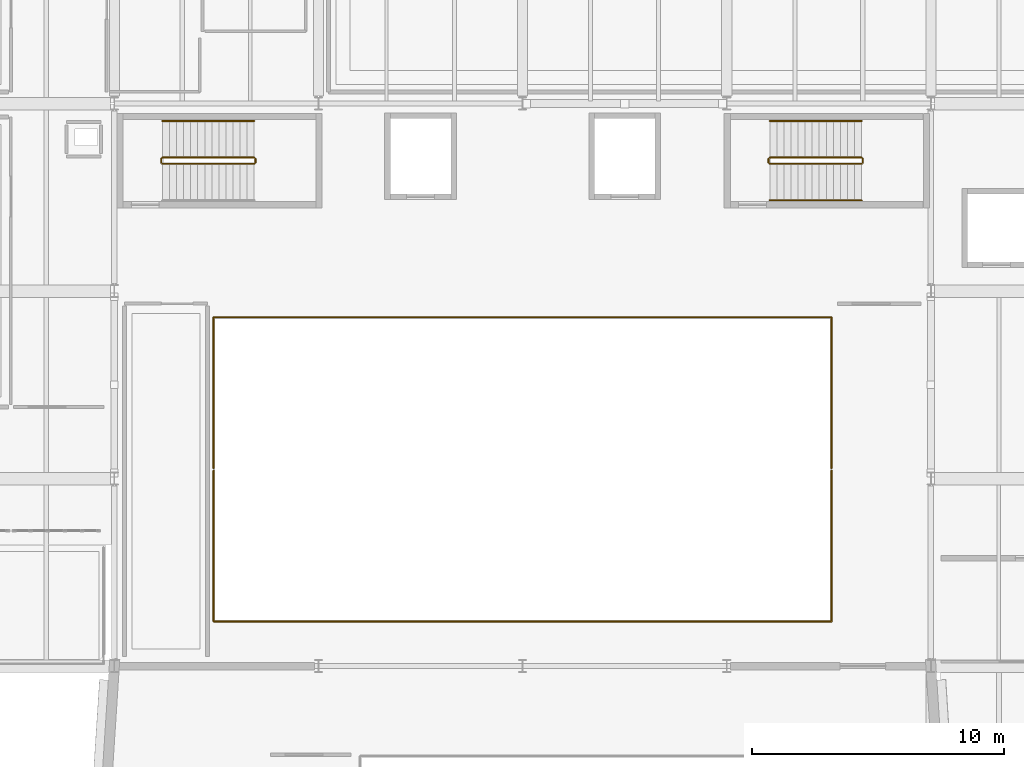
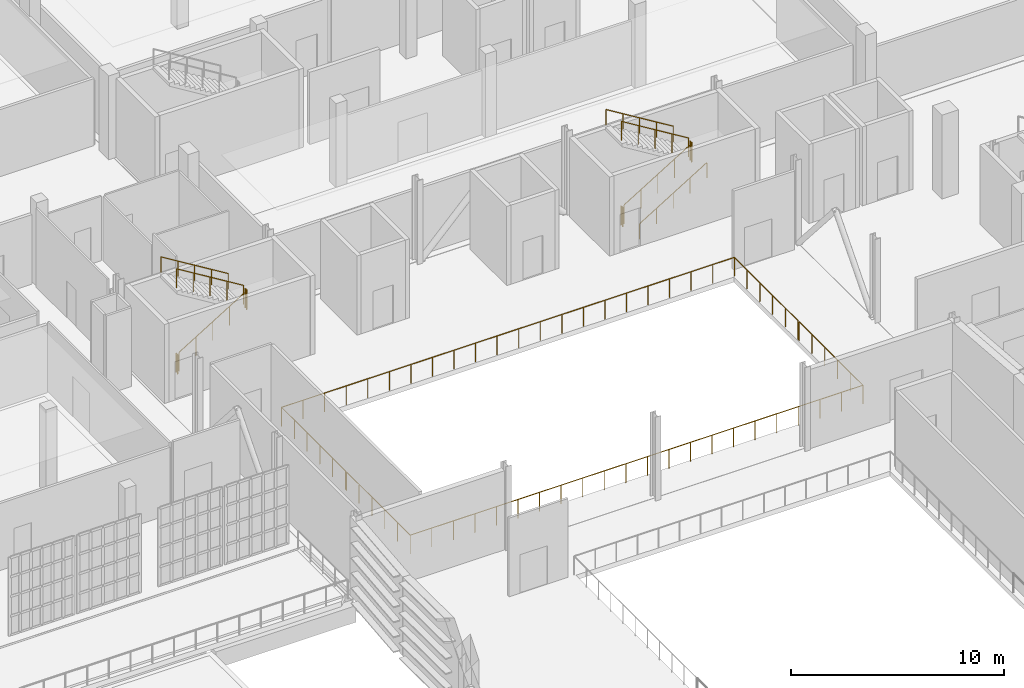
# One storey, part 98 of 104: 13 railings.
"""IFC4 building model written with IfcOpenShell, lengths in metres."""

from ifc_helpers import new_model, si_unit, direction, frame, origin, origin_2d, place, context, subcontext, project, spatial, circle, extrude, material, type_object, element, save


model = new_model("IFC4")

# Units and contexts
model_context = context("Model", 3, precision=1e-05, world=origin(), true_north=direction((0.0, 1.0)))
body_context = subcontext(model_context, "Body", "Model", "MODEL_VIEW")
ifc_project = project(units=[si_unit("LENGTHUNIT", "METRE"), si_unit("AREAUNIT", "SQUARE_METRE"), si_unit("VOLUMEUNIT", "CUBIC_METRE"), si_unit("PLANEANGLEUNIT", "RADIAN"), si_unit("MASSUNIT", "GRAM", prefix="KILO")], contexts=[model_context])

# Site, building, storey
site_placement = place(None, origin())
site = spatial("IfcSite", under=ifc_project, at=site_placement, CompositionType="ELEMENT")
building_placement = place(site_placement, origin())
building = spatial("IfcBuilding", under=site, at=building_placement, Name="Kaelora Sail Theatre", CompositionType="ELEMENT")
storey_placement = place(building_placement, frame((0.0, 0.0, 5.39990234375)))
storey = spatial("IfcBuildingStorey", under=building, at=storey_placement, Name="L01", CompositionType="ELEMENT", Elevation=5.39990234375)

# Railings
ifc_material_1 = material(Name="Painted steel and laminated safety glass guard", Category="steel")
railing_type_1 = type_object("IfcRailingType", Name="ARC-RL-GRD", PredefinedType="GUARDRAIL", material=ifc_material_1)
railing_1_placement = place(storey_placement, frame((27.7099609375, 80.949951171875, 0.171630859375)))
element("IfcRailing", 1, at=railing_1_placement, inside=storey, type_object=railing_type_1, Name="L01 ST-K1 stair guard 1", PredefinedType="GUARDRAIL", context=body_context, shape_type="SweptSolid", body=[
    extrude(circle(Radius=0.02392578125, at=origin_2d()), frame((0.0, 0.0, 1.076171875), z_axis=(0.852865859571, 0.0, 0.52213008492), x_axis=(0.0, 1.0, 0.0)), (0.0, 0.0, 1.0), 4.26806640625),
    extrude(circle(Radius=0.02099609375, at=origin_2d()), origin(), (0.0, 0.0, 1.0), 1.052001953125),
    extrude(circle(Radius=0.02099609375, at=origin_2d()), frame((0.91015625, 0.0, 0.55712890625)), (0.0, 0.0, 1.0), 1.052001953125),
    extrude(circle(Radius=0.02099609375, at=origin_2d()), frame((1.820068359375, 0.0, 1.1142578125)), (0.0, 0.0, 1.0), 1.052001953125),
    extrude(circle(Radius=0.02099609375, at=origin_2d()), frame((2.72998046875, 0.0, 1.67138671875)), (0.0, 0.0, 1.0), 1.052001953125),
    extrude(circle(Radius=0.02099609375, at=origin_2d()), frame((3.64013671875, 0.0, 2.228515625)), (0.0, 0.0, 1.0), 1.052001953125),
])
railing_2_placement = place(storey_placement, frame((31.39990234375, 81.0, 2.400146484375)))
element("IfcRailing", 2, at=railing_2_placement, inside=storey, type_object=railing_type_1, Name="L01 ST-K1 stair guard 2", PredefinedType="GUARDRAIL", context=body_context, shape_type="SweptSolid", body=[
    extrude(circle(Radius=0.02392578125, at=origin_2d()), frame((0.0, 0.0, 1.076171875), z_axis=(0.0, 1.0, 0.0), x_axis=(-1.0, 0.0, 0.0)), (0.0, 0.0, 1.0), 0.14990234375),
    extrude(circle(Radius=0.02099609375, at=origin_2d()), origin(), (0.0, 0.0, 1.0), 1.052001953125),
    extrude(circle(Radius=0.02099609375, at=origin_2d()), frame((0.0, 0.14990234375, 0.0)), (0.0, 0.0, 1.0), 1.052001953125),
])
railing_3_placement = place(storey_placement, frame((31.35009765625, 81.199951171875, 2.571533203125)))
element("IfcRailing", 3, at=railing_3_placement, inside=storey, type_object=railing_type_1, Name="L01 ST-K1 stair guard 3", PredefinedType="GUARDRAIL", context=body_context, shape_type="SweptSolid", body=[
    extrude(circle(Radius=0.02392578125, at=origin_2d()), frame((0.0, 0.0, 1.076171875), z_axis=(-0.852865859571, 0.0, 0.52213008492), x_axis=(0.0, -1.0, 0.0)), (0.0, 0.0, 1.0), 4.26806640625),
    extrude(circle(Radius=0.02099609375, at=origin_2d()), origin(), (0.0, 0.0, 1.0), 1.052001953125),
    extrude(circle(Radius=0.02099609375, at=origin_2d()), frame((-0.91015625, 0.0, 0.55712890625)), (0.0, 0.0, 1.0), 1.052001953125),
    extrude(circle(Radius=0.02099609375, at=origin_2d()), frame((-1.820068359375, 0.0, 1.1142578125)), (0.0, 0.0, 1.0), 1.052001953125),
    extrude(circle(Radius=0.02099609375, at=origin_2d()), frame((-2.72998046875, 0.0, 1.67138671875)), (0.0, 0.0, 1.0), 1.052001953125),
    extrude(circle(Radius=0.02099609375, at=origin_2d()), frame((-3.64013671875, 0.0, 2.228515625)), (0.0, 0.0, 1.0), 1.052001953125),
])
railing_4_placement = place(storey_placement, frame((27.659912109375, 81.0, 0.0)))
element("IfcRailing", 4, at=railing_4_placement, inside=storey, type_object=railing_type_1, Name="L01 ST-K1 stair guard 4", PredefinedType="GUARDRAIL", context=body_context, shape_type="SweptSolid", body=[
    extrude(circle(Radius=0.02392578125, at=origin_2d()), frame((0.0, 0.0, 1.076171875), z_axis=(0.0, 1.0, 0.0), x_axis=(-1.0, 0.0, 0.0)), (0.0, 0.0, 1.0), 0.14990234375),
    extrude(circle(Radius=0.02099609375, at=origin_2d()), origin(), (0.0, 0.0, 1.0), 1.052001953125),
    extrude(circle(Radius=0.02099609375, at=origin_2d()), frame((0.0, 0.14990234375, 0.0)), (0.0, 0.0, 1.0), 1.052001953125),
])
railing_5_placement = place(storey_placement, frame((51.81005859375, 80.949951171875, 0.171630859375)))
element("IfcRailing", 5, at=railing_5_placement, inside=storey, type_object=railing_type_1, Name="L01 ST-K5 stair guard 1", PredefinedType="GUARDRAIL", context=body_context, shape_type="SweptSolid", body=[
    extrude(circle(Radius=0.02392578125, at=origin_2d()), frame((0.0, 0.0, 1.076171875), z_axis=(0.852850264322, 0.0, 0.5221555579), x_axis=(0.0, 1.0, 0.0)), (0.0, 0.0, 1.0), 4.267822265625),
    extrude(circle(Radius=0.02099609375, at=origin_2d()), origin(), (0.0, 0.0, 1.0), 1.052001953125),
    extrude(circle(Radius=0.02099609375, at=origin_2d()), frame((0.909912109375, 0.0, 0.55712890625)), (0.0, 0.0, 1.0), 1.052001953125),
    extrude(circle(Radius=0.02099609375, at=origin_2d()), frame((1.81982421875, 0.0, 1.1142578125)), (0.0, 0.0, 1.0), 1.052001953125),
    extrude(circle(Radius=0.02099609375, at=origin_2d()), frame((2.72998046875, 0.0, 1.67138671875)), (0.0, 0.0, 1.0), 1.052001953125),
    extrude(circle(Radius=0.02099609375, at=origin_2d()), frame((3.639892578125, 0.0, 2.228515625)), (0.0, 0.0, 1.0), 1.052001953125),
])
railing_6_placement = place(storey_placement, frame((55.5, 81.0, 2.400146484375)))
element("IfcRailing", 6, at=railing_6_placement, inside=storey, type_object=railing_type_1, Name="L01 ST-K5 stair guard 2", PredefinedType="GUARDRAIL", context=body_context, shape_type="SweptSolid", body=[
    extrude(circle(Radius=0.02392578125, at=origin_2d()), frame((0.0, 0.0, 1.076171875), z_axis=(0.0, 1.0, 0.0), x_axis=(-1.0, 0.0, 0.0)), (0.0, 0.0, 1.0), 0.14990234375),
    extrude(circle(Radius=0.02099609375, at=origin_2d()), origin(), (0.0, 0.0, 1.0), 1.052001953125),
    extrude(circle(Radius=0.02099609375, at=origin_2d()), frame((0.0, 0.14990234375, 0.0)), (0.0, 0.0, 1.0), 1.052001953125),
])
railing_7_placement = place(storey_placement, frame((55.449951171875, 81.199951171875, 2.571533203125)))
element("IfcRailing", 7, at=railing_7_placement, inside=storey, type_object=railing_type_1, Name="L01 ST-K5 stair guard 3", PredefinedType="GUARDRAIL", context=body_context, shape_type="SweptSolid", body=[
    extrude(circle(Radius=0.02392578125, at=origin_2d()), frame((0.0, 0.0, 1.076171875), z_axis=(-0.852850264322, 0.0, 0.5221555579), x_axis=(0.0, -1.0, 0.0)), (0.0, 0.0, 1.0), 4.267822265625),
    extrude(circle(Radius=0.02099609375, at=origin_2d()), origin(), (0.0, 0.0, 1.0), 1.052001953125),
    extrude(circle(Radius=0.02099609375, at=origin_2d()), frame((-0.909912109375, 0.0, 0.55712890625)), (0.0, 0.0, 1.0), 1.052001953125),
    extrude(circle(Radius=0.02099609375, at=origin_2d()), frame((-1.81982421875, 0.0, 1.1142578125)), (0.0, 0.0, 1.0), 1.052001953125),
    extrude(circle(Radius=0.02099609375, at=origin_2d()), frame((-2.72998046875, 0.0, 1.67138671875)), (0.0, 0.0, 1.0), 1.052001953125),
    extrude(circle(Radius=0.02099609375, at=origin_2d()), frame((-3.639892578125, 0.0, 2.228515625)), (0.0, 0.0, 1.0), 1.052001953125),
])
railing_8_placement = place(storey_placement, frame((51.760009765625, 81.0, 0.0)))
element("IfcRailing", 8, at=railing_8_placement, inside=storey, type_object=railing_type_1, Name="L01 ST-K5 stair guard 4", PredefinedType="GUARDRAIL", context=body_context, shape_type="SweptSolid", body=[
    extrude(circle(Radius=0.02392578125, at=origin_2d()), frame((0.0, 0.0, 1.076171875), z_axis=(0.0, 1.0, 0.0), x_axis=(-1.0, 0.0, 0.0)), (0.0, 0.0, 1.0), 0.14990234375),
    extrude(circle(Radius=0.02099609375, at=origin_2d()), origin(), (0.0, 0.0, 1.0), 1.052001953125),
    extrude(circle(Radius=0.02099609375, at=origin_2d()), frame((0.0, 0.14990234375, 0.0)), (0.0, 0.0, 1.0), 1.052001953125),
])
railing_9_placement = place(storey_placement, frame((29.739990234375, 68.77490234375, 0.0)))
element("IfcRailing", 9, at=railing_9_placement, inside=storey, type_object=railing_type_1, Name="Interior void balustrade FLY-V1 south", PredefinedType="GUARDRAIL", context=body_context, shape_type="SweptSolid", body=[
    extrude(circle(Radius=0.02392578125, at=origin_2d()), frame((0.0, 0.0, 1.076171875), z_axis=(0.0, -1.0, 0.0), x_axis=(1.0, 0.0, 0.0)), (0.0, 0.0, 1.0), 5.98486328125),
    extrude(circle(Radius=0.02392578125, at=origin_2d()), frame((0.0, -5.98486328125, 1.076171875), z_axis=(1.0, 0.0, 0.0), x_axis=(0.0, 1.0, 0.0)), (0.0, 0.0, 1.0), 24.52001953125),
    extrude(circle(Radius=0.02392578125, at=origin_2d()), frame((24.52001953125, -5.98486328125, 1.076171875), z_axis=(0.0, 1.0, 0.0), x_axis=(-1.0, 0.0, 0.0)), (0.0, 0.0, 1.0), 5.98486328125),
    extrude(circle(Radius=0.02099609375, at=origin_2d()), origin(), (0.0, 0.0, 1.0), 1.052001953125),
    extrude(circle(Radius=0.02099609375, at=origin_2d()), frame((0.0, -1.197021484375, 0.0)), (0.0, 0.0, 1.0), 1.052001953125),
    extrude(circle(Radius=0.02099609375, at=origin_2d()), frame((0.0, -2.39404296875, 0.0)), (0.0, 0.0, 1.0), 1.052001953125),
    extrude(circle(Radius=0.02099609375, at=origin_2d()), frame((0.0, -3.5908203125, 0.0)), (0.0, 0.0, 1.0), 1.052001953125),
    extrude(circle(Radius=0.02099609375, at=origin_2d()), frame((0.0, -4.787841796875, 0.0)), (0.0, 0.0, 1.0), 1.052001953125),
    extrude(circle(Radius=0.02099609375, at=origin_2d()), frame((0.0, -5.98486328125, 0.0)), (0.0, 0.0, 1.0), 1.052001953125),
    extrude(circle(Radius=0.02099609375, at=origin_2d()), frame((1.167724609375, -5.98486328125, 0.0)), (0.0, 0.0, 1.0), 1.052001953125),
    extrude(circle(Radius=0.02099609375, at=origin_2d()), frame((2.335205078125, -5.98486328125, 0.0)), (0.0, 0.0, 1.0), 1.052001953125),
    extrude(circle(Radius=0.02099609375, at=origin_2d()), frame((3.5029296875, -5.98486328125, 0.0)), (0.0, 0.0, 1.0), 1.052001953125),
    extrude(circle(Radius=0.02099609375, at=origin_2d()), frame((4.67041015625, -5.98486328125, 0.0)), (0.0, 0.0, 1.0), 1.052001953125),
    extrude(circle(Radius=0.02099609375, at=origin_2d()), frame((5.838134765625, -5.98486328125, 0.0)), (0.0, 0.0, 1.0), 1.052001953125),
    extrude(circle(Radius=0.02099609375, at=origin_2d()), frame((7.005615234375, -5.98486328125, 0.0)), (0.0, 0.0, 1.0), 1.052001953125),
    extrude(circle(Radius=0.02099609375, at=origin_2d()), frame((8.17333984375, -5.98486328125, 0.0)), (0.0, 0.0, 1.0), 1.052001953125),
    extrude(circle(Radius=0.02099609375, at=origin_2d()), frame((9.341064453125, -5.98486328125, 0.0)), (0.0, 0.0, 1.0), 1.052001953125),
    extrude(circle(Radius=0.02099609375, at=origin_2d()), frame((10.508544921875, -5.98486328125, 0.0)), (0.0, 0.0, 1.0), 1.052001953125),
    extrude(circle(Radius=0.02099609375, at=origin_2d()), frame((11.67626953125, -5.98486328125, 0.0)), (0.0, 0.0, 1.0), 1.052001953125),
    extrude(circle(Radius=0.02099609375, at=origin_2d()), frame((12.84375, -5.98486328125, 0.0)), (0.0, 0.0, 1.0), 1.052001953125),
    extrude(circle(Radius=0.02099609375, at=origin_2d()), frame((14.011474609375, -5.98486328125, 0.0)), (0.0, 0.0, 1.0), 1.052001953125),
    extrude(circle(Radius=0.02099609375, at=origin_2d()), frame((15.178955078125, -5.98486328125, 0.0)), (0.0, 0.0, 1.0), 1.052001953125),
    extrude(circle(Radius=0.02099609375, at=origin_2d()), frame((16.3466796875, -5.98486328125, 0.0)), (0.0, 0.0, 1.0), 1.052001953125),
    extrude(circle(Radius=0.02099609375, at=origin_2d()), frame((17.514404296875, -5.98486328125, 0.0)), (0.0, 0.0, 1.0), 1.052001953125),
    extrude(circle(Radius=0.02099609375, at=origin_2d()), frame((18.681884765625, -5.98486328125, 0.0)), (0.0, 0.0, 1.0), 1.052001953125),
    extrude(circle(Radius=0.02099609375, at=origin_2d()), frame((19.849609375, -5.98486328125, 0.0)), (0.0, 0.0, 1.0), 1.052001953125),
    extrude(circle(Radius=0.02099609375, at=origin_2d()), frame((21.01708984375, -5.98486328125, 0.0)), (0.0, 0.0, 1.0), 1.052001953125),
    extrude(circle(Radius=0.02099609375, at=origin_2d()), frame((22.184814453125, -5.98486328125, 0.0)), (0.0, 0.0, 1.0), 1.052001953125),
    extrude(circle(Radius=0.02099609375, at=origin_2d()), frame((23.352294921875, -5.98486328125, 0.0)), (0.0, 0.0, 1.0), 1.052001953125),
    extrude(circle(Radius=0.02099609375, at=origin_2d()), frame((24.52001953125, -5.98486328125, 0.0)), (0.0, 0.0, 1.0), 1.052001953125),
    extrude(circle(Radius=0.02099609375, at=origin_2d()), frame((24.52001953125, -4.787841796875, 0.0)), (0.0, 0.0, 1.0), 1.052001953125),
    extrude(circle(Radius=0.02099609375, at=origin_2d()), frame((24.52001953125, -3.5908203125, 0.0)), (0.0, 0.0, 1.0), 1.052001953125),
    extrude(circle(Radius=0.02099609375, at=origin_2d()), frame((24.52001953125, -2.39404296875, 0.0)), (0.0, 0.0, 1.0), 1.052001953125),
    extrude(circle(Radius=0.02099609375, at=origin_2d()), frame((24.52001953125, -1.197021484375, 0.0)), (0.0, 0.0, 1.0), 1.052001953125),
    extrude(circle(Radius=0.02099609375, at=origin_2d()), frame((24.52001953125, 0.0, 0.0)), (0.0, 0.0, 1.0), 1.052001953125),
])
railing_10_placement = place(storey_placement, frame((54.260009765625, 68.875, 0.0)))
element("IfcRailing", 10, at=railing_10_placement, inside=storey, type_object=railing_type_1, Name="Interior void balustrade FLY-V1 north", PredefinedType="GUARDRAIL", context=body_context, shape_type="SweptSolid", body=[
    extrude(circle(Radius=0.02392578125, at=origin_2d()), frame((0.0, 0.0, 1.076171875), z_axis=(0.0, 1.0, 0.0), x_axis=(-1.0, 0.0, 0.0)), (0.0, 0.0, 1.0), 5.985107421875),
    extrude(circle(Radius=0.02392578125, at=origin_2d()), frame((0.0, 5.985107421875, 1.076171875), z_axis=(-1.0, 0.0, 0.0), x_axis=(0.0, -1.0, 0.0)), (0.0, 0.0, 1.0), 24.52001953125),
    extrude(circle(Radius=0.02392578125, at=origin_2d()), frame((-24.52001953125, 5.985107421875, 1.076171875), z_axis=(0.0, -1.0, 0.0), x_axis=(1.0, 0.0, 0.0)), (0.0, 0.0, 1.0), 5.985107421875),
    extrude(circle(Radius=0.02099609375, at=origin_2d()), origin(), (0.0, 0.0, 1.0), 1.052001953125),
    extrude(circle(Radius=0.02099609375, at=origin_2d()), frame((0.0, 1.197021484375, 0.0)), (0.0, 0.0, 1.0), 1.052001953125),
    extrude(circle(Radius=0.02099609375, at=origin_2d()), frame((0.0, 2.39404296875, 0.0)), (0.0, 0.0, 1.0), 1.052001953125),
    extrude(circle(Radius=0.02099609375, at=origin_2d()), frame((0.0, 3.591064453125, 0.0)), (0.0, 0.0, 1.0), 1.052001953125),
    extrude(circle(Radius=0.02099609375, at=origin_2d()), frame((0.0, 4.7880859375, 0.0)), (0.0, 0.0, 1.0), 1.052001953125),
    extrude(circle(Radius=0.02099609375, at=origin_2d()), frame((0.0, 5.985107421875, 0.0)), (0.0, 0.0, 1.0), 1.052001953125),
    extrude(circle(Radius=0.02099609375, at=origin_2d()), frame((-1.167724609375, 5.985107421875, 0.0)), (0.0, 0.0, 1.0), 1.052001953125),
    extrude(circle(Radius=0.02099609375, at=origin_2d()), frame((-2.335205078125, 5.985107421875, 0.0)), (0.0, 0.0, 1.0), 1.052001953125),
    extrude(circle(Radius=0.02099609375, at=origin_2d()), frame((-3.5029296875, 5.985107421875, 0.0)), (0.0, 0.0, 1.0), 1.052001953125),
    extrude(circle(Radius=0.02099609375, at=origin_2d()), frame((-4.67041015625, 5.985107421875, 0.0)), (0.0, 0.0, 1.0), 1.052001953125),
    extrude(circle(Radius=0.02099609375, at=origin_2d()), frame((-5.838134765625, 5.985107421875, 0.0)), (0.0, 0.0, 1.0), 1.052001953125),
    extrude(circle(Radius=0.02099609375, at=origin_2d()), frame((-7.005615234375, 5.985107421875, 0.0)), (0.0, 0.0, 1.0), 1.052001953125),
    extrude(circle(Radius=0.02099609375, at=origin_2d()), frame((-8.17333984375, 5.985107421875, 0.0)), (0.0, 0.0, 1.0), 1.052001953125),
    extrude(circle(Radius=0.02099609375, at=origin_2d()), frame((-9.341064453125, 5.985107421875, 0.0)), (0.0, 0.0, 1.0), 1.052001953125),
    extrude(circle(Radius=0.02099609375, at=origin_2d()), frame((-10.508544921875, 5.985107421875, 0.0)), (0.0, 0.0, 1.0), 1.052001953125),
    extrude(circle(Radius=0.02099609375, at=origin_2d()), frame((-11.67626953125, 5.985107421875, 0.0)), (0.0, 0.0, 1.0), 1.052001953125),
    extrude(circle(Radius=0.02099609375, at=origin_2d()), frame((-12.84375, 5.985107421875, 0.0)), (0.0, 0.0, 1.0), 1.052001953125),
    extrude(circle(Radius=0.02099609375, at=origin_2d()), frame((-14.011474609375, 5.985107421875, 0.0)), (0.0, 0.0, 1.0), 1.052001953125),
    extrude(circle(Radius=0.02099609375, at=origin_2d()), frame((-15.178955078125, 5.985107421875, 0.0)), (0.0, 0.0, 1.0), 1.052001953125),
    extrude(circle(Radius=0.02099609375, at=origin_2d()), frame((-16.3466796875, 5.985107421875, 0.0)), (0.0, 0.0, 1.0), 1.052001953125),
    extrude(circle(Radius=0.02099609375, at=origin_2d()), frame((-17.514404296875, 5.985107421875, 0.0)), (0.0, 0.0, 1.0), 1.052001953125),
    extrude(circle(Radius=0.02099609375, at=origin_2d()), frame((-18.681884765625, 5.985107421875, 0.0)), (0.0, 0.0, 1.0), 1.052001953125),
    extrude(circle(Radius=0.02099609375, at=origin_2d()), frame((-19.849609375, 5.985107421875, 0.0)), (0.0, 0.0, 1.0), 1.052001953125),
    extrude(circle(Radius=0.02099609375, at=origin_2d()), frame((-21.01708984375, 5.985107421875, 0.0)), (0.0, 0.0, 1.0), 1.052001953125),
    extrude(circle(Radius=0.02099609375, at=origin_2d()), frame((-22.184814453125, 5.985107421875, 0.0)), (0.0, 0.0, 1.0), 1.052001953125),
    extrude(circle(Radius=0.02099609375, at=origin_2d()), frame((-23.352294921875, 5.985107421875, 0.0)), (0.0, 0.0, 1.0), 1.052001953125),
    extrude(circle(Radius=0.02099609375, at=origin_2d()), frame((-24.52001953125, 5.985107421875, 0.0)), (0.0, 0.0, 1.0), 1.052001953125),
    extrude(circle(Radius=0.02099609375, at=origin_2d()), frame((-24.52001953125, 4.7880859375, 0.0)), (0.0, 0.0, 1.0), 1.052001953125),
    extrude(circle(Radius=0.02099609375, at=origin_2d()), frame((-24.52001953125, 3.591064453125, 0.0)), (0.0, 0.0, 1.0), 1.052001953125),
    extrude(circle(Radius=0.02099609375, at=origin_2d()), frame((-24.52001953125, 2.39404296875, 0.0)), (0.0, 0.0, 1.0), 1.052001953125),
    extrude(circle(Radius=0.02099609375, at=origin_2d()), frame((-24.52001953125, 1.197021484375, 0.0)), (0.0, 0.0, 1.0), 1.052001953125),
    extrude(circle(Radius=0.02099609375, at=origin_2d()), frame((-24.52001953125, 0.0, 0.0)), (0.0, 0.0, 1.0), 1.052001953125),
])
ifc_material_2 = material(Name="Brushed stainless steel 316L tubular handrail", Category="steel")
railing_type_2 = type_object("IfcRailingType", Name="ARC-RL-HND", PredefinedType="HANDRAIL", material=ifc_material_2)
railing_11_placement = place(storey_placement, frame((31.35009765625, 82.64990234375, 2.571533203125)))
element("IfcRailing", 11, at=railing_11_placement, inside=storey, type_object=railing_type_2, Name="L01 ST-K1 stair handrail 2", PredefinedType="HANDRAIL", context=body_context, shape_type="SweptSolid", body=[
    extrude(circle(Radius=0.02392578125, at=origin_2d()), frame((0.0, 0.0, 0.8759765625), z_axis=(-0.852865859571, 0.0, 0.52213008492), x_axis=(0.0, -1.0, 0.0)), (0.0, 0.0, 1.0), 4.26806640625),
    extrude(circle(Radius=0.02099609375, at=origin_2d()), origin(), (0.0, 0.0, 1.0), 0.851806640625),
    extrude(circle(Radius=0.02099609375, at=origin_2d()), frame((-0.91015625, 0.0, 0.55712890625)), (0.0, 0.0, 1.0), 0.851806640625),
    extrude(circle(Radius=0.02099609375, at=origin_2d()), frame((-1.820068359375, 0.0, 1.1142578125)), (0.0, 0.0, 1.0), 0.851806640625),
    extrude(circle(Radius=0.02099609375, at=origin_2d()), frame((-2.72998046875, 0.0, 1.67138671875)), (0.0, 0.0, 1.0), 0.851806640625),
    extrude(circle(Radius=0.02099609375, at=origin_2d()), frame((-3.64013671875, 0.0, 2.228515625)), (0.0, 0.0, 1.0), 0.851806640625),
])
railing_12_placement = place(storey_placement, frame((51.81005859375, 79.5, 0.171630859375)))
element("IfcRailing", 12, at=railing_12_placement, inside=storey, type_object=railing_type_2, Name="L01 ST-K5 stair handrail 1", PredefinedType="HANDRAIL", context=body_context, shape_type="SweptSolid", body=[
    extrude(circle(Radius=0.02392578125, at=origin_2d()), frame((0.0, 0.0, 0.8759765625), z_axis=(0.852850264322, 0.0, 0.5221555579), x_axis=(0.0, 1.0, 0.0)), (0.0, 0.0, 1.0), 4.267822265625),
    extrude(circle(Radius=0.02099609375, at=origin_2d()), origin(), (0.0, 0.0, 1.0), 0.851806640625),
    extrude(circle(Radius=0.02099609375, at=origin_2d()), frame((0.909912109375, 0.0, 0.55712890625)), (0.0, 0.0, 1.0), 0.851806640625),
    extrude(circle(Radius=0.02099609375, at=origin_2d()), frame((1.81982421875, 0.0, 1.1142578125)), (0.0, 0.0, 1.0), 0.851806640625),
    extrude(circle(Radius=0.02099609375, at=origin_2d()), frame((2.72998046875, 0.0, 1.67138671875)), (0.0, 0.0, 1.0), 0.851806640625),
    extrude(circle(Radius=0.02099609375, at=origin_2d()), frame((3.639892578125, 0.0, 2.228515625)), (0.0, 0.0, 1.0), 0.851806640625),
])
railing_13_placement = place(storey_placement, frame((55.449951171875, 82.64990234375, 2.571533203125)))
element("IfcRailing", 13, at=railing_13_placement, inside=storey, type_object=railing_type_2, Name="L01 ST-K5 stair handrail 2", PredefinedType="HANDRAIL", context=body_context, shape_type="SweptSolid", body=[
    extrude(circle(Radius=0.02392578125, at=origin_2d()), frame((0.0, 0.0, 0.8759765625), z_axis=(-0.852850264322, 0.0, 0.5221555579), x_axis=(0.0, -1.0, 0.0)), (0.0, 0.0, 1.0), 4.267822265625),
    extrude(circle(Radius=0.02099609375, at=origin_2d()), origin(), (0.0, 0.0, 1.0), 0.851806640625),
    extrude(circle(Radius=0.02099609375, at=origin_2d()), frame((-0.909912109375, 0.0, 0.55712890625)), (0.0, 0.0, 1.0), 0.851806640625),
    extrude(circle(Radius=0.02099609375, at=origin_2d()), frame((-1.81982421875, 0.0, 1.1142578125)), (0.0, 0.0, 1.0), 0.851806640625),
    extrude(circle(Radius=0.02099609375, at=origin_2d()), frame((-2.72998046875, 0.0, 1.67138671875)), (0.0, 0.0, 1.0), 0.851806640625),
    extrude(circle(Radius=0.02099609375, at=origin_2d()), frame((-3.639892578125, 0.0, 2.228515625)), (0.0, 0.0, 1.0), 0.851806640625),
])

save(model, "model.ifc")
